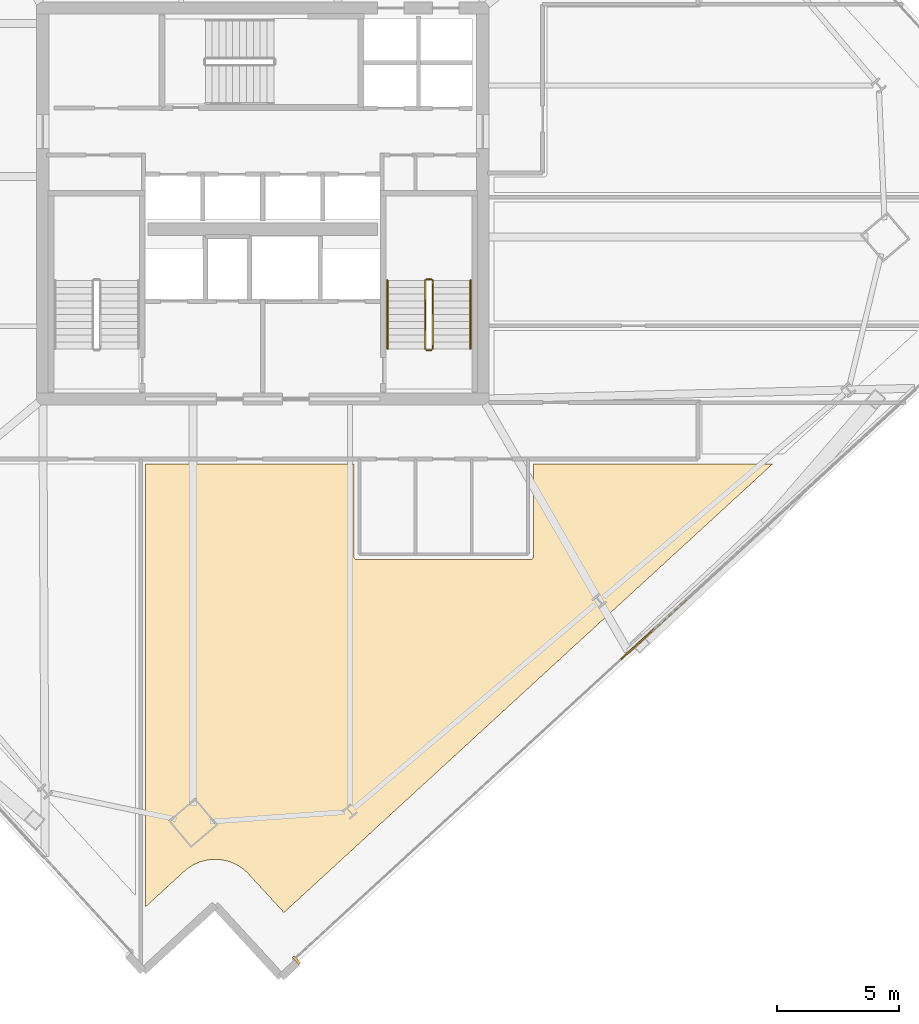
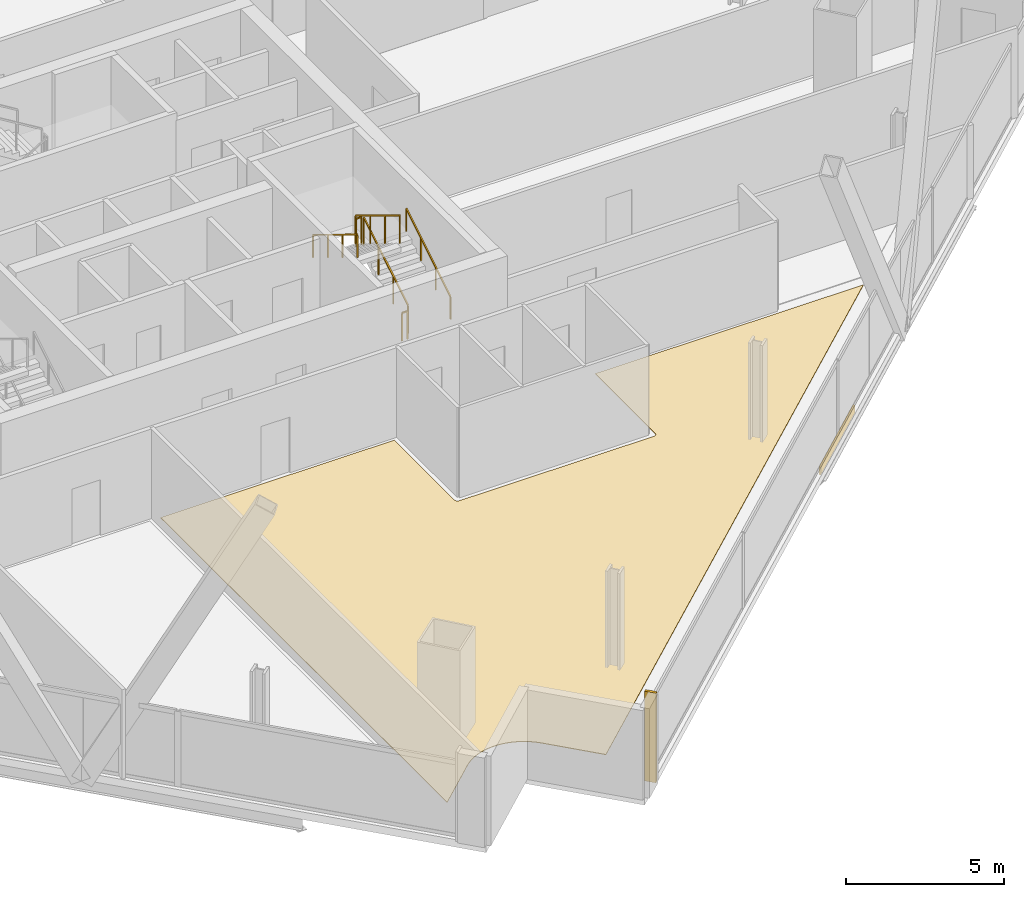
# One storey, part 29 of 32: 6 railings, 3 coverings.
"""IFC4 building model written with IfcOpenShell, lengths in metres."""

import ifcopenshell
import ifcopenshell.guid

model = None  # the IFC model being written
_history = None  # IfcOwnerHistory: only IFC2X3 demands one
_inside = {}  # id of a spatial element -> (the spatial element, [elements in it])
_under = {}  # id of a project, library or spatial element -> (it, [spatial elements below it])
_declared = {}  # id of a project -> (the project, [libraries it declares])
_typed = {}  # id of a type object -> (the type object, [elements of that type])
_made_of = {}  # id of a material, layer set ... -> (it, [elements and type objects made of it])


def new_model(schema):
    """Start an empty IFC model of exactly this schema.

    Asked for "IFC4X3", IfcOpenShell would pick the latest addendum, in which some entities
    have other attributes; the version numbers below select the first issue.
    IFC2X3 requires an IfcOwnerHistory on every rooted entity: one is made here for all.
    """
    global model, _history
    if schema == "IFC4X3":
        model = ifcopenshell.file(schema_version=(4, 3, 0, 0))
    else:
        model = ifcopenshell.file(schema=schema)
    _inside.clear()
    _under.clear()
    _declared.clear()
    _typed.clear()
    _made_of.clear()
    _history = None
    if model.schema == "IFC2X3":
        org = make("IfcOrganization", Name="unknown")
        user = make(
            "IfcPersonAndOrganization",
            ThePerson=make("IfcPerson", FamilyName="unknown"),
            TheOrganization=org,
        )
        app = make(
            "IfcApplication",
            ApplicationDeveloper=org,
            Version="unknown",
            ApplicationFullName="unknown",
            ApplicationIdentifier="unknown",
        )
        _history = make(
            "IfcOwnerHistory",
            OwningUser=user,
            OwningApplication=app,
            ChangeAction="ADDED",
            CreationDate=0,
        )
    return model


def make(cls, **values):
    """One entity of the class cls with the attributes given. An attribute that is None is left unset."""
    return model.create_entity(
        cls, **{name: value for name, value in values.items() if value is not None}
    )


def rooted(cls, **values):
    """An entity with a GlobalId (a new one), such as an element, a storey or a relation."""
    return make(cls, GlobalId=ifcopenshell.guid.new(), OwnerHistory=_history, **values)


def si_unit(unit_type, name, prefix=None):
    """IfcSIUnit, for example si_unit("LENGTHUNIT", "METRE", prefix="MILLI")."""
    return make("IfcSIUnit", UnitType=unit_type, Prefix=prefix, Name=name)


def assignment(units):
    """IfcUnitAssignment: the units of a project."""
    return None if units is None else make("IfcUnitAssignment", Units=units)


def point(xyz):
    """IfcCartesianPoint."""
    return None if xyz is None else make("IfcCartesianPoint", Coordinates=xyz)


def direction(xyz):
    """IfcDirection."""
    return None if xyz is None else make("IfcDirection", DirectionRatios=xyz)


def frame(location, z_axis=None, x_axis=None):
    """IfcAxis2Placement3D, a coordinate frame: its origin and axes. An axis left out is left unset."""
    return make(
        "IfcAxis2Placement3D",
        Location=point(location),
        Axis=direction(z_axis),
        RefDirection=direction(x_axis),
    )


def frame_2d(location, x_axis=None):
    """IfcAxis2Placement2D, a coordinate frame in the plane: its origin and x axis."""
    return make(
        "IfcAxis2Placement2D", Location=point(location), RefDirection=direction(x_axis)
    )


def origin():
    """The frame at (0, 0, 0) with its axes left unset."""
    return frame((0.0, 0.0, 0.0))


def origin_2d():
    """The frame at (0, 0) in the plane with its x axis left unset."""
    return frame_2d((0.0, 0.0))


def place(relative_to, where):
    """IfcLocalPlacement: puts the frame where relative to a parent placement (None: the world)."""
    return make(
        "IfcLocalPlacement", PlacementRelTo=relative_to, RelativePlacement=where
    )


def context(
    kind, dimensions, precision=None, world=None, true_north=None, identifier=None
):
    """IfcGeometricRepresentationContext, for example the 3D "Model" context."""
    return make(
        "IfcGeometricRepresentationContext",
        ContextIdentifier=identifier,
        ContextType=kind,
        CoordinateSpaceDimension=dimensions,
        Precision=precision,
        WorldCoordinateSystem=world,
        TrueNorth=true_north,
    )


def subcontext(parent, identifier, kind, view, scale=None):
    """IfcGeometricRepresentationSubContext, for example "Body" below "Model"."""
    return make(
        "IfcGeometricRepresentationSubContext",
        ContextIdentifier=identifier,
        ContextType=kind,
        ParentContext=parent,
        TargetScale=scale,
        TargetView=view,
    )


def project(units=None, contexts=None):
    """IfcProject with its units and contexts."""
    return rooted(
        "IfcProject",
        Name="project",
        RepresentationContexts=contexts,
        UnitsInContext=assignment(units),
    )


def spatial(cls, under=None, at=None, **own):
    """A site, building, storey or space (cls), placed at a placement, below another one or the project."""
    s = rooted(cls, ObjectPlacement=at, **own)
    if under is not None:
        _under.setdefault(under.id(), (under, []))[1].append(s)
    return s


def polyline(points):
    """IfcPolyline through the points."""
    return make("IfcPolyline", Points=[point(p) for p in points])


def profile(cls, at=None, kind="AREA", **sizes):
    """A parametric profile (cls). Its sizes go by their IFC names, for example OverallWidth=200.0."""
    return make(cls, ProfileType=kind, Position=at, **sizes)


def rectangle(**sizes):
    """IfcRectangleProfileDef."""
    return profile("IfcRectangleProfileDef", **sizes)


def outline(outer, holes=None, kind="AREA"):
    """IfcArbitraryClosedProfileDef: a profile drawn as a closed curve; with holes, ...WithVoids."""
    if holes is None:
        return make("IfcArbitraryClosedProfileDef", ProfileType=kind, OuterCurve=outer)
    return make(
        "IfcArbitraryProfileDefWithVoids",
        ProfileType=kind,
        OuterCurve=outer,
        InnerCurves=holes,
    )


def extrude(swept, where, along, depth):
    """IfcExtrudedAreaSolid: the profile swept, set in the frame where, extruded along a direction by depth."""
    return make(
        "IfcExtrudedAreaSolid",
        SweptArea=swept,
        Position=where,
        ExtrudedDirection=direction(along),
        Depth=depth,
    )


def shape(context_of_items, identifier, shape_type, items):
    """IfcShapeRepresentation: the items that make up one representation, for example the "Body"."""
    return make(
        "IfcShapeRepresentation",
        ContextOfItems=context_of_items,
        RepresentationIdentifier=identifier,
        RepresentationType=shape_type,
        Items=items,
    )


def source(mapping_origin, context_of_items, identifier, shape_type, items):
    """IfcRepresentationMap: a shape defined once, which mapped items show again and again."""
    return make(
        "IfcRepresentationMap",
        MappingOrigin=mapping_origin,
        MappedRepresentation=shape(context_of_items, identifier, shape_type, items),
    )


def transform(
    local_origin,
    x_axis=None,
    y_axis=None,
    z_axis=None,
    scale=None,
    scale2=None,
    scale3=None,
    uniform=True,
):
    """IfcCartesianTransformationOperator3D, or its non-uniform kind. x_axis, y_axis, z_axis: its Axis1, 2, 3."""
    if uniform:
        return make(
            "IfcCartesianTransformationOperator3D",
            Axis1=direction(x_axis),
            Axis2=direction(y_axis),
            LocalOrigin=point(local_origin),
            Scale=scale,
            Axis3=direction(z_axis),
        )
    return make(
        "IfcCartesianTransformationOperator3DnonUniform",
        Axis1=direction(x_axis),
        Axis2=direction(y_axis),
        LocalOrigin=point(local_origin),
        Scale=scale,
        Axis3=direction(z_axis),
        Scale2=scale2,
        Scale3=scale3,
    )


def mapped(mapping_source, mapping_target):
    """IfcMappedItem: shows the shape of a source again, moved by a transform."""
    return make(
        "IfcMappedItem", MappingSource=mapping_source, MappingTarget=mapping_target
    )


def material(Name=None, Category=None):
    """IfcMaterial."""
    return make("IfcMaterial", Name=Name, Category=Category)


def layer(
    of_material, thickness, ventilated=None, Name=None, Category=None, Priority=None
):
    """IfcMaterialLayer: one layer of a wall or slab, of a material (None: an air gap)."""
    return make(
        "IfcMaterialLayer",
        Material=of_material,
        LayerThickness=thickness,
        IsVentilated=ventilated,
        Name=Name,
        Category=Category,
        Priority=Priority,
    )


def layer_set(layers, Name=None):
    """IfcMaterialLayerSet."""
    return make("IfcMaterialLayerSet", MaterialLayers=layers, LayerSetName=Name)


def made_of(thing, what):
    """Note that an element or type object is made of a material, layer set ...; save() writes the relation."""
    if what is not None:
        _made_of.setdefault(what.id(), (what, []))[1].append(thing)
    return thing


def type_object(cls, material=None, **own):
    """A type object (cls), such as IfcWallType, which elements share."""
    return made_of(rooted(cls, **own), material)


def element(
    cls,
    number,
    at=None,
    inside=None,
    cuts=None,
    type_object=None,
    material=None,
    context=None,
    identifier="Body",
    shape_type=None,
    held_by="IfcProductDefinitionShape",
    body=None,
    shapes=None,
    **own,
):
    """One element of the class cls, such as IfcWall. Its Tag is "e" and its number.

    at: its placement. inside: the storey or other place that contains it. cuts: it is an
    opening in that element (IfcRelVoidsElement). A single representation is given by context,
    identifier, shape_type and body (its items); several are given by shapes. held_by: the class
    of the entity that holds the representations. save() writes the other relations.
    """
    e = rooted(cls, Tag="e%d" % number, ObjectPlacement=at, **own)
    if body is not None:
        shapes = [shape(context, identifier, shape_type, body)]
    if shapes is not None:
        e.Representation = make(held_by, Representations=shapes)
    if inside is not None:
        _inside.setdefault(inside.id(), (inside, []))[1].append(e)
    if cuts is not None:
        rooted(
            "IfcRelVoidsElement", RelatingBuildingElement=cuts, RelatedOpeningElement=e
        )
    if type_object is not None:
        _typed.setdefault(type_object.id(), (type_object, []))[1].append(e)
    return made_of(e, material)


def aggregate(whole, parts):
    """IfcRelAggregates: a whole, such as a stair, and the parts it consists of."""
    return rooted("IfcRelAggregates", RelatingObject=whole, RelatedObjects=parts)


def save(model, path):
    """Write the relations noted so far, then the file.

    IfcRelAggregates (storeys below a building ...), IfcRelContainedInSpatialStructure (elements
    in a storey), IfcRelDefinesByType, IfcRelAssociatesMaterial and IfcRelDeclares: one each for
    every whole, place, type object, material and project.
    """
    for whole, parts in _under.values():
        aggregate(whole, parts)
    for where, things in _inside.values():
        rooted(
            "IfcRelContainedInSpatialStructure",
            RelatedElements=things,
            RelatingStructure=where,
        )
    for kind, things in _typed.values():
        rooted("IfcRelDefinesByType", RelatedObjects=things, RelatingType=kind)
    for what, things in _made_of.values():
        rooted("IfcRelAssociatesMaterial", RelatedObjects=things, RelatingMaterial=what)
    for by, libraries in _declared.values():
        rooted("IfcRelDeclares", RelatingContext=by, RelatedDefinitions=libraries)
    model.write(path)


model = new_model("IFC4")

# Units and contexts
model_context = context("Model", 3, precision=1e-05, world=origin(), true_north=direction((0.0, 1.0)))
body_context = subcontext(model_context, "Body", "Model", "MODEL_VIEW")
ifc_project = project(units=[si_unit("LENGTHUNIT", "METRE"), si_unit("AREAUNIT", "SQUARE_METRE"), si_unit("VOLUMEUNIT", "CUBIC_METRE"), si_unit("PLANEANGLEUNIT", "RADIAN"), si_unit("MASSUNIT", "GRAM", prefix="KILO")], contexts=[model_context])

# Site, building, storey
site_placement = place(None, origin())
site = spatial("IfcSite", under=ifc_project, at=site_placement, CompositionType="ELEMENT")
building_placement = place(site_placement, origin())
building = spatial("IfcBuilding", under=site, at=building_placement, Name="Haldenkirk Collegiate Tower", CompositionType="ELEMENT")
storey_placement = place(building_placement, frame((0.0, 0.0, 170.699951171875)))
storey = spatial("IfcBuildingStorey", under=building, at=storey_placement, Name="L42", CompositionType="ELEMENT", Elevation=170.699951171875)

# Covering
ifc_material_1 = material(Name="Engineered collegiate oak acoustic flooring", Category="wood")
ifc_layer_1 = layer(ifc_material_1, 0.02197265625)
ifc_layer_set_1 = layer_set([ifc_layer_1], Name="Engineered collegiate oak acoustic flooring")
covering_type_1 = type_object("IfcCoveringType", Name="COV-FLOOR-TIMBER", PredefinedType="FLOORING", material=ifc_layer_set_1)
covering_1_placement = place(storey_placement, origin())
element("IfcCovering", 1, at=covering_1_placement, inside=storey, type_object=covering_type_1, Name="L42 academic room finish 03", PredefinedType="FLOORING", context=body_context, shape_type="SweptSolid", body=[
    extrude(outline(polyline([(34.840576171875, -1.011474609375), (34.829833984375, -1.00634765625), (34.670654296875, -0.941650390625), (34.65966796875, -0.937744140625), (34.4951171875, -0.888916015625), (34.4833984375, -0.88623046875), (34.314697265625, -0.85400390625), (34.30322265625, -0.852294921875), (34.132080078125, -0.83642578125), (34.120361328125, -0.8359375), (33.94873046875, -0.8369140625), (33.93701171875, -0.837646484375), (33.76611328125, -0.855712890625), (33.75439453125, -0.857421875), (33.586181640625, -0.89208984375), (33.574951171875, -0.89501953125), (33.410888671875, -0.94580078125), (33.39990234375, -0.94970703125), (33.24169921875, -1.0166015625), (33.23095703125, -1.021484375), (33.080078125, -1.103515625), (33.070068359375, -1.109619140625), (32.927734375, -1.205810546875), (32.91845703125, -1.212890625), (32.786376953125, -1.32275390625), (32.781982421875, -1.32666015625), (31.212646484375, -2.76708984375), (31.199951171875, -2.75341796875), (31.199951171875, 15.35009765625), (39.72998046875, 15.35009765625), (39.72998046875, 11.550048828125), (39.730712890625, 11.5380859375), (39.732421875, 11.526611328125), (39.735107421875, 11.51513671875), (39.739013671875, 11.504150390625), (39.744140625, 11.493408203125), (39.750244140625, 11.4833984375), (39.757080078125, 11.473876953125), (39.76513671875, 11.465087890625), (39.77392578125, 11.457275390625), (39.783203125, 11.4501953125), (39.79345703125, 11.444091796875), (39.80419921875, 11.439208984375), (39.815185546875, 11.435302734375), (39.82666015625, 11.432373046875), (39.838134765625, 11.4306640625), (39.85009765625, 11.429931640625), (46.949951171875, 11.429931640625), (46.9619140625, 11.4306640625), (46.973388671875, 11.432373046875), (46.98486328125, 11.435302734375), (46.995849609375, 11.439208984375), (47.006591796875, 11.444091796875), (47.0166015625, 11.4501953125), (47.026123046875, 11.457275390625), (47.034912109375, 11.465087890625), (47.042724609375, 11.473876953125), (47.0498046875, 11.4833984375), (47.055908203125, 11.493408203125), (47.060791015625, 11.504150390625), (47.064697265625, 11.51513671875), (47.067626953125, 11.526611328125), (47.0693359375, 11.5380859375), (47.070068359375, 11.550048828125), (47.070068359375, 15.35009765625), (56.864501953125, 15.35009765625), (36.864501953125, -3.0087890625), (35.424072265625, -1.439697265625), (35.419921875, -1.435546875), (35.297607421875, -1.314697265625), (35.2890625, -1.306884765625), (35.155517578125, -1.198974609375), (35.14599609375, -1.19189453125), (35.002685546875, -1.097412109375), (34.992431640625, -1.09130859375), (34.840576171875, -1.011474609375)])), origin(), (0.0, 0.0, 1.0), 0.02197265625),
])

# Railings
ifc_material_2 = material(Name="Painted architectural tubular steel", Category="steel")
railing_type_1 = type_object("IfcRailingType", Name="RLG-STAIR-GUARD-1100", PredefinedType="BALUSTRADE", material=ifc_material_2)
railing_1_placement = place(storey_placement, frame((42.949951171875, 20.050048828125, 0.17041015625)))
element("IfcRailing", 2, at=railing_1_placement, inside=storey, type_object=railing_type_1, Name="L42 ST-2 stair guard 1", PredefinedType="BALUSTRADE", context=body_context, shape_type="SweptSolid", body=[
    extrude(rectangle(XDim=0.048095703125, YDim=0.048095703125, at=origin_2d()), frame((0.0, 0.0, 1.076171875), z_axis=(0.0, 0.854169791009, 0.51999420009), x_axis=(-1.0, 0.0, 0.0)), (0.0, 0.0, 1.0), 3.278076171875),
    extrude(rectangle(XDim=0.0419921875, YDim=0.0419921875, at=origin_2d()), origin(), (0.0, 0.0, 1.0), 1.052001953125),
    extrude(rectangle(XDim=0.0419921875, YDim=0.0419921875, at=origin_2d()), frame((0.0, 0.933349609375, 0.568115234375)), (0.0, 0.0, 1.0), 1.052001953125),
    extrude(rectangle(XDim=0.0419921875, YDim=0.0419921875, at=origin_2d()), frame((0.0, 1.86669921875, 1.136474609375)), (0.0, 0.0, 1.0), 1.052001953125),
    extrude(rectangle(XDim=0.0419921875, YDim=0.0419921875, at=origin_2d()), frame((0.0, 2.800048828125, 1.70458984375)), (0.0, 0.0, 1.0), 1.052001953125),
])
railing_2_placement = place(storey_placement, frame((42.89990234375, 22.89990234375, 1.875)))
element("IfcRailing", 3, at=railing_2_placement, inside=storey, type_object=railing_type_1, Name="L42 ST-2 stair guard 2", PredefinedType="BALUSTRADE", context=body_context, shape_type="SweptSolid", body=[
    extrude(rectangle(XDim=0.048095703125, YDim=0.048095703125, at=origin_2d()), frame((0.0, 0.0, 1.076171875), z_axis=(-1.0, 0.0, 0.0), x_axis=(0.0, -1.0, 0.0)), (0.0, 0.0, 1.0), 0.199951171875),
    extrude(rectangle(XDim=0.0419921875, YDim=0.0419921875, at=origin_2d()), origin(), (0.0, 0.0, 1.0), 1.052001953125),
    extrude(rectangle(XDim=0.0419921875, YDim=0.0419921875, at=origin_2d()), frame((-0.199951171875, 0.0, 0.0)), (0.0, 0.0, 1.0), 1.052001953125),
])
railing_3_placement = place(storey_placement, frame((42.64990234375, 22.85009765625, 2.04541015625)))
element("IfcRailing", 4, at=railing_3_placement, inside=storey, type_object=railing_type_1, Name="L42 ST-2 stair guard 3", PredefinedType="BALUSTRADE", context=body_context, shape_type="SweptSolid", body=[
    extrude(rectangle(XDim=0.048095703125, YDim=0.048095703125, at=origin_2d()), frame((0.0, 0.0, 1.076171875), z_axis=(0.0, -0.854169791009, 0.51999420009), x_axis=(1.0, 0.0, 0.0)), (0.0, 0.0, 1.0), 3.278076171875),
    extrude(rectangle(XDim=0.0419921875, YDim=0.0419921875, at=origin_2d()), origin(), (0.0, 0.0, 1.0), 1.052001953125),
    extrude(rectangle(XDim=0.0419921875, YDim=0.0419921875, at=origin_2d()), frame((0.0, -0.933349609375, 0.568115234375)), (0.0, 0.0, 1.0), 1.052001953125),
    extrude(rectangle(XDim=0.0419921875, YDim=0.0419921875, at=origin_2d()), frame((0.0, -1.86669921875, 1.136474609375)), (0.0, 0.0, 1.0), 1.052001953125),
    extrude(rectangle(XDim=0.0419921875, YDim=0.0419921875, at=origin_2d()), frame((0.0, -2.800048828125, 1.70458984375)), (0.0, 0.0, 1.0), 1.052001953125),
])
railing_4_placement = place(storey_placement, frame((42.89990234375, 20.0, 0.0)))
element("IfcRailing", 5, at=railing_4_placement, inside=storey, type_object=railing_type_1, Name="L42 ST-2 stair guard 4", PredefinedType="BALUSTRADE", context=body_context, shape_type="SweptSolid", body=[
    extrude(rectangle(XDim=0.048095703125, YDim=0.048095703125, at=origin_2d()), frame((0.0, 0.0, 1.076171875), z_axis=(-1.0, 0.0, 0.0), x_axis=(0.0, -1.0, 0.0)), (0.0, 0.0, 1.0), 0.199951171875),
    extrude(rectangle(XDim=0.0419921875, YDim=0.0419921875, at=origin_2d()), origin(), (0.0, 0.0, 1.0), 1.052001953125),
    extrude(rectangle(XDim=0.0419921875, YDim=0.0419921875, at=origin_2d()), frame((-0.199951171875, 0.0, 0.0)), (0.0, 0.0, 1.0), 1.052001953125),
])
railing_type_2 = type_object("IfcRailingType", Name="RLG-STAIR-HANDRAIL-900", PredefinedType="HANDRAIL", material=ifc_material_2)
railing_5_placement = place(storey_placement, frame((44.5, 20.050048828125, 0.17041015625)))
element("IfcRailing", 6, at=railing_5_placement, inside=storey, type_object=railing_type_2, Name="L42 ST-2 stair handrail 1", PredefinedType="HANDRAIL", context=body_context, shape_type="SweptSolid", body=[
    extrude(rectangle(XDim=0.048095703125, YDim=0.048095703125, at=origin_2d()), frame((0.0, 0.0, 0.8759765625), z_axis=(0.0, 0.854169791009, 0.51999420009), x_axis=(-1.0, 0.0, 0.0)), (0.0, 0.0, 1.0), 3.278076171875),
    extrude(rectangle(XDim=0.0419921875, YDim=0.0419921875, at=origin_2d()), origin(), (0.0, 0.0, 1.0), 0.851806640625),
    extrude(rectangle(XDim=0.0419921875, YDim=0.0419921875, at=origin_2d()), frame((0.0, 0.933349609375, 0.568115234375)), (0.0, 0.0, 1.0), 0.851806640625),
    extrude(rectangle(XDim=0.0419921875, YDim=0.0419921875, at=origin_2d()), frame((0.0, 1.86669921875, 1.136474609375)), (0.0, 0.0, 1.0), 0.851806640625),
    extrude(rectangle(XDim=0.0419921875, YDim=0.0419921875, at=origin_2d()), frame((0.0, 2.800048828125, 1.70458984375)), (0.0, 0.0, 1.0), 0.851806640625),
])
railing_6_placement = place(storey_placement, frame((41.10009765625, 22.85009765625, 2.04541015625)))
element("IfcRailing", 7, at=railing_6_placement, inside=storey, type_object=railing_type_2, Name="L42 ST-2 stair handrail 2", PredefinedType="HANDRAIL", context=body_context, shape_type="SweptSolid", body=[
    extrude(rectangle(XDim=0.048095703125, YDim=0.048095703125, at=origin_2d()), frame((0.0, 0.0, 0.8759765625), z_axis=(0.0, -0.854169791009, 0.51999420009), x_axis=(1.0, 0.0, 0.0)), (0.0, 0.0, 1.0), 3.278076171875),
    extrude(rectangle(XDim=0.0419921875, YDim=0.0419921875, at=origin_2d()), origin(), (0.0, 0.0, 1.0), 0.851806640625),
    extrude(rectangle(XDim=0.0419921875, YDim=0.0419921875, at=origin_2d()), frame((0.0, -0.933349609375, 0.568115234375)), (0.0, 0.0, 1.0), 0.851806640625),
    extrude(rectangle(XDim=0.0419921875, YDim=0.0419921875, at=origin_2d()), frame((0.0, -1.86669921875, 1.136474609375)), (0.0, 0.0, 1.0), 0.851806640625),
    extrude(rectangle(XDim=0.0419921875, YDim=0.0419921875, at=origin_2d()), frame((0.0, -2.800048828125, 1.70458984375)), (0.0, 0.0, 1.0), 0.851806640625),
])

# Coverings
ifc_material_3 = material(Name="Anodised architectural bronze aluminium", Category="aluminium")
ifc_layer_2 = layer(ifc_material_3, 0.06005859375)
ifc_layer_set_2 = layer_set([ifc_layer_2], Name="Anodised architectural bronze aluminium")
covering_type_2 = type_object("IfcCoveringType", Name="COV-CLAD-BRONZE-60", PredefinedType="CLADDING", material=ifc_layer_set_2)
shared_shape_1 = source(origin(), body_context, "Body", "SweptSolid", [
    extrude(rectangle(XDim=3.60009765625, YDim=0.06005859375, at=origin_2d()), origin(), (0.0, 0.0, 1.0), 0.300048828125),
])
covering_2_placement = place(storey_placement, frame((51.989501953125, 8.5810546875, -0.2998046875), z_axis=(0.0, 0.0, 1.0), x_axis=(-0.736687492475, -0.67623334614, 0.0)))
element("IfcCovering", 8, at=covering_2_placement, inside=storey, type_object=covering_type_2, Name="L42 architectural bronze spandrel cladding S", PredefinedType="CLADDING", context=body_context, shape_type="MappedRepresentation", body=[
    mapped(shared_shape_1, transform((0.0, 0.0, 0.0), x_axis=(1.0, 0.0, 0.0), y_axis=(0.0, 1.0, 0.0), z_axis=(0.0, 0.0, 1.0), scale=1.0)),
])
shared_shape_2 = source(origin(), body_context, "Body", "SweptSolid", [
    extrude(rectangle(XDim=0.10009765625, YDim=0.3798828125, at=origin_2d()), origin(), (0.0, 0.0, 1.0), 3.4599609375),
])
covering_3_placement = place(storey_placement, frame((37.37548828125, -4.955810546875, 0.0), z_axis=(0.0, 0.0, 1.0), x_axis=(-0.736687492475, -0.67623334614, 0.0)))
element("IfcCovering", 9, at=covering_3_placement, inside=storey, type_object=covering_type_2, Name="L42 recessed curtain-wall bronze jamb closure SJR", PredefinedType="CLADDING", context=body_context, shape_type="MappedRepresentation", body=[
    mapped(shared_shape_2, transform((0.0, 0.0, 0.0), x_axis=(1.0, 0.0, 0.0), y_axis=(0.0, 1.0, 0.0), z_axis=(0.0, 0.0, 1.0), scale=1.0)),
])

save(model, "model.ifc")
